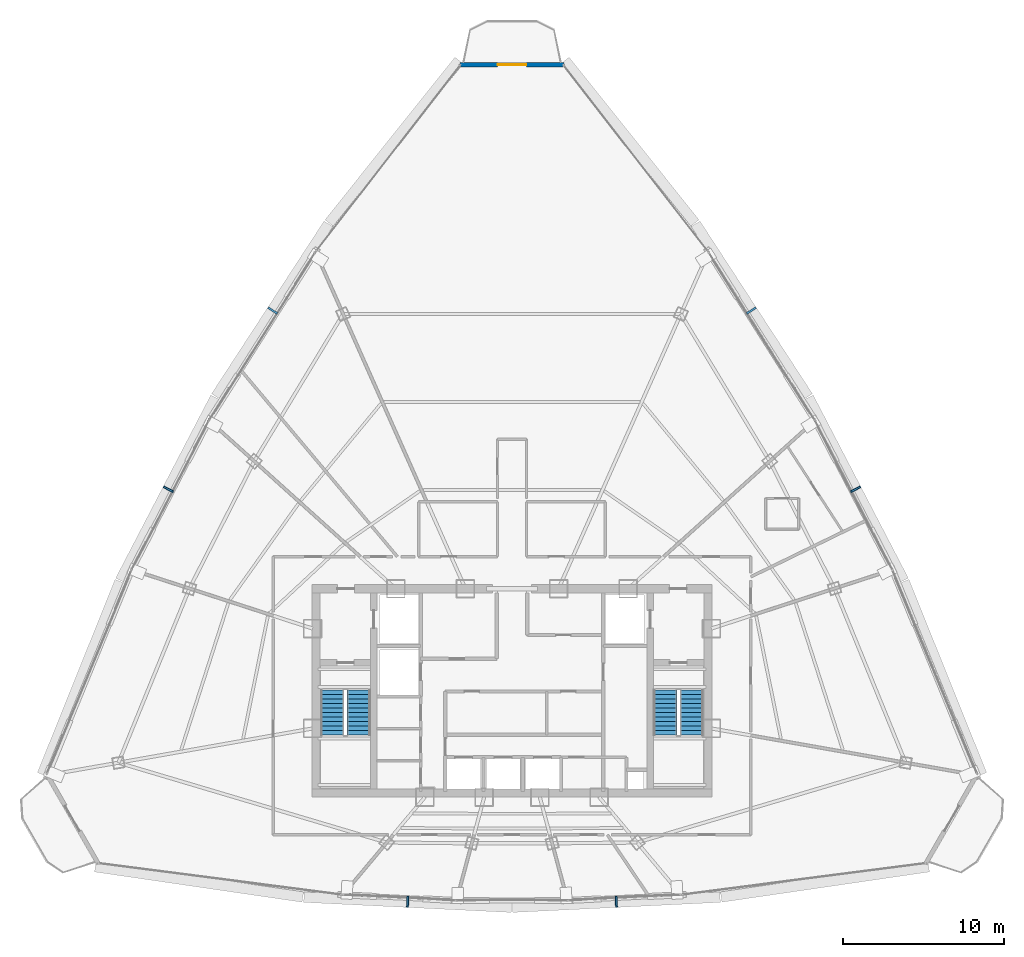
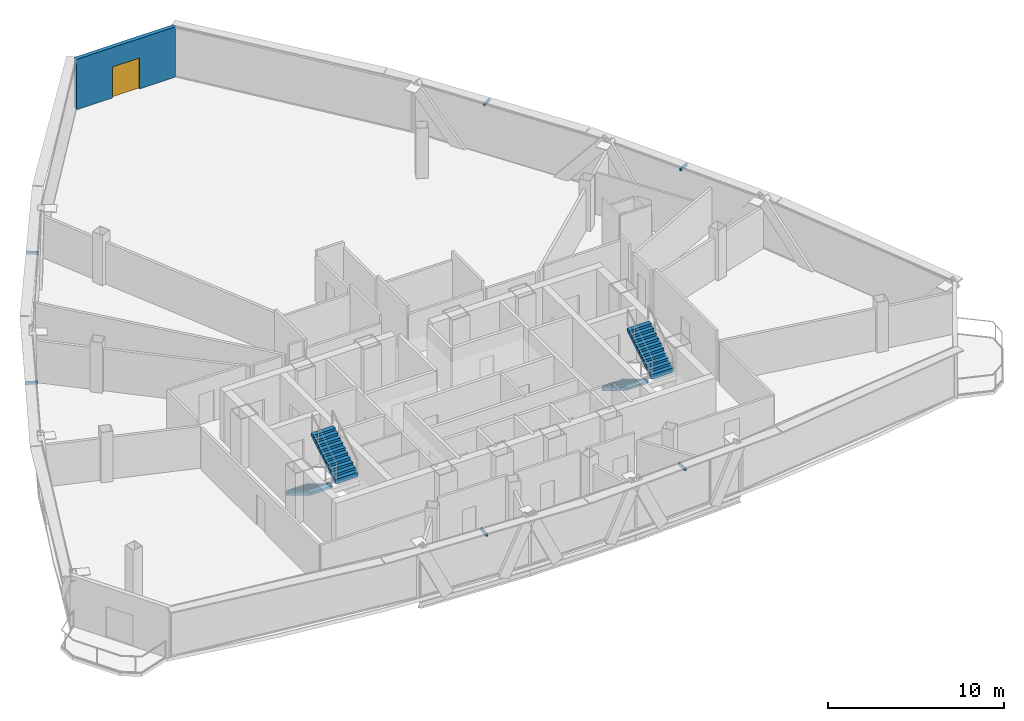
# One storey, part 31 of 34: 6 discrete accessories, 4 stair flights, 1 door, 1 wall, 1 opening, 2 elements without a shape of their own.
"""IFC4 building model written with IfcOpenShell, lengths in metres."""

from ifc_helpers import new_model, si_unit, direction, frame, frame_2d, origin, origin_with_axes, origin_2d, place, context, subcontext, project, spatial, polyline, rectangle, outline, extrude, source, transform, mapped, material, layer, layer_set, type_object, element, fill, aggregate, save


model = new_model("IFC4")

# Units and contexts
model_context = context("Model", 3, precision=1e-05, world=origin(), true_north=direction((0.0, 1.0)))
body_context = subcontext(model_context, "Body", "Model", "MODEL_VIEW")
ifc_project = project(units=[si_unit("LENGTHUNIT", "METRE"), si_unit("AREAUNIT", "SQUARE_METRE"), si_unit("VOLUMEUNIT", "CUBIC_METRE"), si_unit("PLANEANGLEUNIT", "RADIAN"), si_unit("MASSUNIT", "GRAM", prefix="KILO"), si_unit("THERMODYNAMICTEMPERATUREUNIT", "KELVIN"), si_unit("POWERUNIT", "WATT")], contexts=[model_context])

# Site, building, storey
site_placement = place(None, origin())
site = spatial("IfcSite", under=ifc_project, at=site_placement, CompositionType="ELEMENT")
building_placement = place(site_placement, origin())
building = spatial("IfcBuilding", under=site, at=building_placement, Name="Yunzhuo Pagoda Commons", CompositionType="ELEMENT")
storey_placement = place(building_placement, frame((0.0, 0.0, 333.010009765625)))
storey = spatial("IfcBuildingStorey", under=building, at=storey_placement, Name="L83", CompositionType="ELEMENT", Elevation=333.010009765625)

# Wall, opening, door
ifc_material_1 = material(Name="Precast concrete C40", Category="concrete")
ifc_layer = layer(ifc_material_1, 0.260009765625)
ifc_layer_set = layer_set([ifc_layer], Name="Precast concrete C40")
wall_type = type_object("IfcWallType", Name="W-BAL1 Corner Balcony Threshold Wall 260", PredefinedType="STANDARD", material=ifc_layer_set)
wall_placement = place(storey_placement, frame((51.243408203125, 72.783203125, 0.0), z_axis=(0.0, 0.0, 1.0), x_axis=(-1.0, 0.0, 0.0)))
wall = element("IfcWall", 1, at=wall_placement, inside=storey, type_object=wall_type, Name="L83 corner balcony wall V3", PredefinedType="STANDARD", context=body_context, shape_type="SweptSolid", body=[
    extrude(rectangle(XDim=6.48681640625, YDim=0.260009765625, at=frame_2d((3.243408203125, 0.0))), origin(), (0.0, 0.0, 1.0), 3.489990234375),
])
opening_placement = place(wall_placement, frame((2.343505859375, 0.0, 0.0)))
opening = element("IfcOpeningElement", 2, at=opening_placement, cuts=wall, Name="Opening D-BAL1", PredefinedType="OPENING", context=body_context, shape_type="SweptSolid", body=[
    extrude(rectangle(XDim=1.800048828125, YDim=2.14990234375, at=frame_2d((0.89990234375, 1.074951171875))), frame((0.0, 0.14013671875, 0.0), z_axis=(0.0, -1.0, 0.0), x_axis=(1.0, 0.0, 0.0)), (0.0, 0.0, 1.0), 0.280029296875),
])
ifc_material_2 = material(Name="Anodized aluminium frame and tempered glazed leaf", Category="aluminium")
door_type = type_object("IfcDoorType", Name="D-BAL1 Corner Balcony Sliding Glazed Door 1800x2150", OperationType="DOUBLE_DOOR_SLIDING", PredefinedType="DOOR", material=ifc_material_2)
shared_shape_1 = source(origin(), body_context, "Body", "SweptSolid", [
    extrude(rectangle(XDim=1.800048828125, YDim=2.14990234375, at=frame_2d((0.89990234375, 1.074951171875))), frame((0.0, 0.02490234375, 0.0), z_axis=(0.0, -1.0, 0.0), x_axis=(1.0, 0.0, 0.0)), (0.0, 0.0, 1.0), 0.050048828125),
])
door_placement = place(opening_placement, origin_with_axes())
door = element("IfcDoor", 3, at=door_placement, inside=storey, type_object=door_type, Name="L83 corner balcony sliding door V3", OperationType="DOUBLE_DOOR_SLIDING", OverallHeight=2.14990234375, OverallWidth=1.800048828125, PredefinedType="DOOR", context=body_context, shape_type="MappedRepresentation", body=[
    mapped(shared_shape_1, transform((0.0, 0.0, 0.0), scale=1.0)),
])
fill(opening, door)

# Stair, stair flights
ifc_material_3 = material(Name="Concrete C40", Category="concrete")
stair_type_1 = type_object("IfcStairType", Name="ST-C1 Core Smokeproof Stair ST1", PredefinedType="HALF_TURN_STAIR", material=ifc_material_3)
stair_1_placement = place(storey_placement, origin())
stair_1 = element("IfcStair", 4, at=stair_1_placement, inside=storey, type_object=stair_type_1, Name="L83 Core smokeproof stair ST1", PredefinedType="HALF_TURN_STAIR")
stair_flight_type_1 = type_object("IfcStairFlightType", Name="STF-C1 Core Stair Flight 1450", PredefinedType="STRAIGHT", material=ifc_material_3)
shared_shape_2 = source(origin(), body_context, "Body", "SweptSolid", [
    extrude(outline(polyline([(0.0, -0.14990234375), (0.0, 0.0), (0.0, 0.17041015625), (0.280029296875, 0.17041015625), (0.280029296875, 0.3408203125), (0.56005859375, 0.3408203125), (0.56005859375, 0.511474609375), (0.840087890625, 0.511474609375), (0.840087890625, 0.681884765625), (1.1201171875, 0.681884765625), (1.1201171875, 0.852294921875), (1.39990234375, 0.852294921875), (1.39990234375, 1.022705078125), (1.679931640625, 1.022705078125), (1.679931640625, 1.193115234375), (1.9599609375, 1.193115234375), (1.9599609375, 1.363525390625), (2.239990234375, 1.363525390625), (2.239990234375, 1.5341796875), (2.52001953125, 1.5341796875), (2.52001953125, 1.70458984375), (2.800048828125, 1.70458984375), (2.800048828125, 1.875), (2.800048828125, 1.529052734375), (0.288330078125, 0.0), (0.050048828125, -0.14990234375), (0.0, -0.14990234375)])), frame((0.0, 0.72509765625, 0.0), z_axis=(0.0, -1.0, 0.0), x_axis=(1.0, 0.0, 0.0)), (0.0, 0.0, 1.0), 1.449951171875),
])
stair_flight_1_placement = place(storey_placement, frame((36.824951171875, 33.89990234375, 0.0), z_axis=(0.0, 0.0, 1.0), x_axis=(0.0, -1.0, 0.0)))
stair_flight_1 = element("IfcStairFlight", 5, at=stair_flight_1_placement, type_object=stair_flight_type_1, Name="ST1 flight 1", NumberOfRisers=11, NumberOfTreads=10, PredefinedType="STRAIGHT", RiserHeight=0.170454545, TreadLength=0.28, context=body_context, shape_type="MappedRepresentation", body=[
    mapped(shared_shape_2, transform((0.0, 0.0, 0.0), scale=1.0)),
])
stair_flight_2_placement = place(storey_placement, frame((38.47509765625, 31.10009765625, 1.875), z_axis=(0.0, 0.0, 1.0), x_axis=(0.0, 1.0, 0.0)))
stair_flight_2 = element("IfcStairFlight", 6, at=stair_flight_2_placement, type_object=stair_flight_type_1, Name="ST1 flight 2", NumberOfRisers=11, NumberOfTreads=10, PredefinedType="STRAIGHT", RiserHeight=0.170454545, TreadLength=0.28, context=body_context, shape_type="MappedRepresentation", body=[
    mapped(shared_shape_2, transform((0.0, 0.0, 0.0), scale=1.0)),
])
aggregate(stair_1, [stair_flight_1, stair_flight_2])

stair_type_2 = type_object("IfcStairType", Name="ST-C2 Core Smokeproof Stair ST2", PredefinedType="HALF_TURN_STAIR", material=ifc_material_3)
stair_2_placement = place(storey_placement, origin())
stair_2 = element("IfcStair", 7, at=stair_2_placement, inside=storey, type_object=stair_type_2, Name="L83 Core smokeproof stair ST2", PredefinedType="HALF_TURN_STAIR")
stair_flight_type_2 = type_object("IfcStairFlightType", Name="STF-C2 Core Stair Flight 1460", PredefinedType="STRAIGHT", material=ifc_material_3)
stair_flight_3_placement = place(storey_placement, frame((57.52490234375, 33.89990234375, 0.0), z_axis=(0.0, 0.0, 1.0), x_axis=(0.0, -1.0, 0.0)))
stair_flight_3 = element("IfcStairFlight", 8, at=stair_flight_3_placement, type_object=stair_flight_type_2, Name="ST2 flight 1", NumberOfRisers=11, NumberOfTreads=10, PredefinedType="STRAIGHT", RiserHeight=0.170454545, TreadLength=0.28, context=body_context, shape_type="MappedRepresentation", body=[
    mapped(shared_shape_2, transform((0.0, 0.0, 0.0), scale=1.0)),
])
stair_flight_4_placement = place(storey_placement, frame((59.175048828125, 31.10009765625, 1.875), z_axis=(0.0, 0.0, 1.0), x_axis=(0.0, 1.0, 0.0)))
stair_flight_4 = element("IfcStairFlight", 9, at=stair_flight_4_placement, type_object=stair_flight_type_2, Name="ST2 flight 2", NumberOfRisers=11, NumberOfTreads=10, PredefinedType="STRAIGHT", RiserHeight=0.170454545, TreadLength=0.28, context=body_context, shape_type="MappedRepresentation", body=[
    mapped(shared_shape_2, transform((0.0, 0.0, 0.0), scale=1.0)),
])
aggregate(stair_2, [stair_flight_3, stair_flight_4])

# Discrete accessories
ifc_material_4 = material(Name="Anodized aluminium 6063-T6", Category="aluminium")
discrete_accessory_type = type_object("IfcDiscreteAccessoryType", Name="BK-SUN1 Sunshade Outrigger Bracket", PredefinedType="BRACKET", material=ifc_material_4)
shared_shape_3 = source(origin(), body_context, "Body", "SweptSolid", [
    extrude(rectangle(XDim=0.1201171875, YDim=0.679931640625, at=origin_2d()), origin(), (0.0, 0.0, 1.0), 0.179931640625),
])
for number, where, z_axis, x_axis, name in (
    (10, (41.515380859375, 20.7509765625, 3.27978515625), (0.0, 0.0, 1.0), (0.998818043775, -0.04860571396, 0.0), "L83 sunshade outrigger bracket F1.2"),
    (11, (54.484619140625, 20.7509765625, 3.27978515625), (0.0, 0.0, 1.0), (0.998818043775, 0.04860571396, 0.0), "L83 sunshade outrigger bracket F1.3"),
    (12, (69.363037109375, 46.38671875, 3.27978515625), (0.0, 0.0, 1.0), (-0.461206683033, 0.88729273384, 0.0), "L83 sunshade outrigger bracket F2.2"),
    (13, (62.87841796875, 57.49609375, 3.27978515625), (0.0, 0.0, 1.0), (-0.545853380833, 0.837880711458, 0.0), "L83 sunshade outrigger bracket F2.3"),
    (14, (33.12158203125, 57.49609375, 3.27978515625), (0.0, 0.0, 1.0), (-0.545853380833, -0.837880711458, 0.0), "L83 sunshade outrigger bracket F3.2"),
    (15, (26.636962890625, 46.38671875, 3.27978515625), (0.0, 0.0, 1.0), (-0.461206683033, -0.88729273384, 0.0), "L83 sunshade outrigger bracket F3.3"),
):
    element("IfcDiscreteAccessory", number, at=place(storey_placement, frame(where, z_axis=z_axis, x_axis=x_axis)), inside=storey, type_object=discrete_accessory_type, Name=name, PredefinedType="BRACKET", context=body_context, shape_type="MappedRepresentation", body=[
        mapped(shared_shape_3, transform((0.0, 0.0, 0.0), scale=1.0)),
    ])

save(model, "model.ifc")
